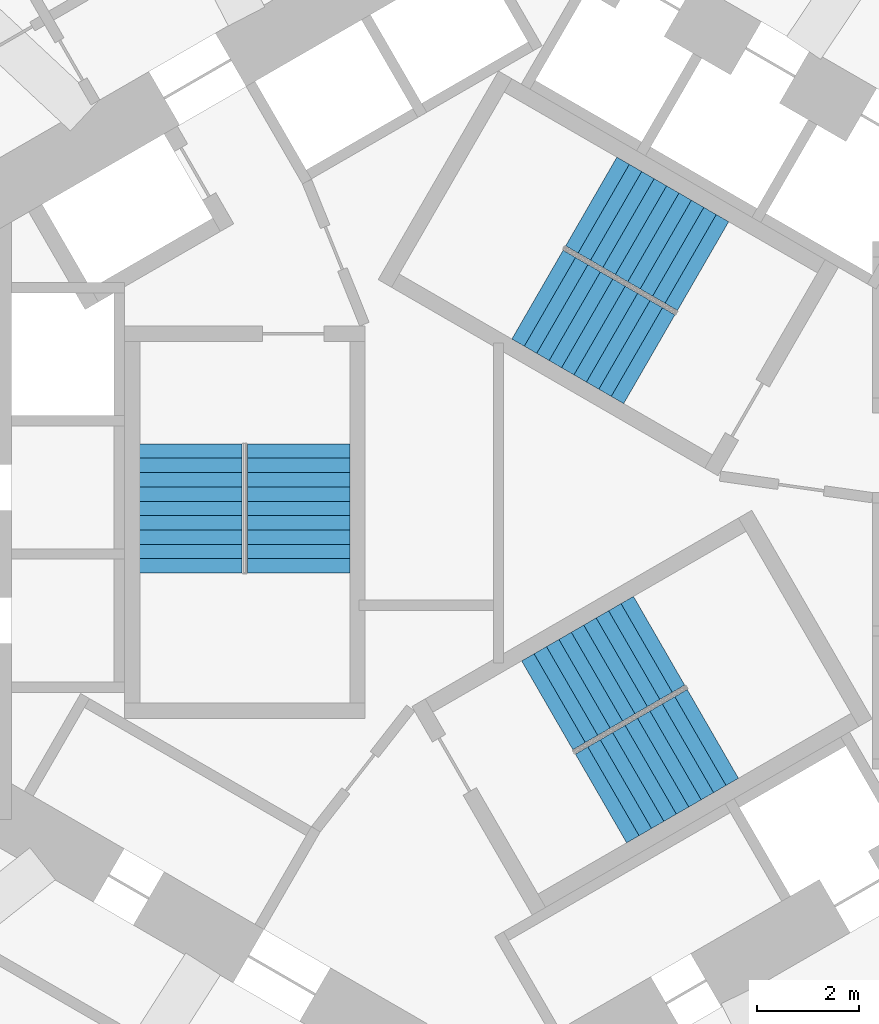
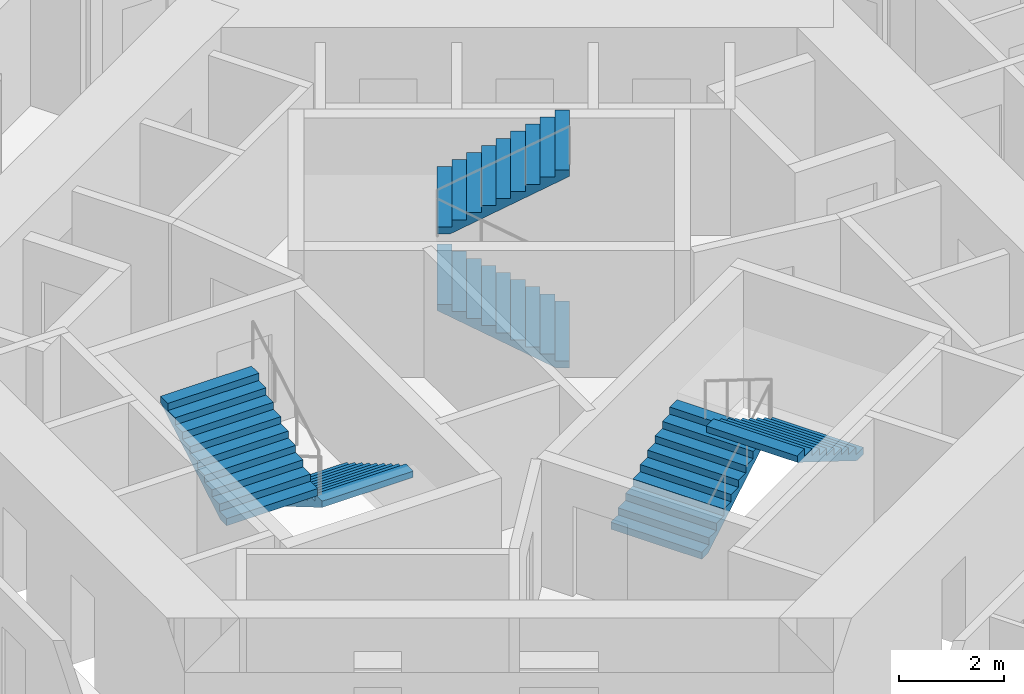
# One storey, part 10 of 12: 6 stair flights, 3 elements without a shape of their own.
"""IFC4 building model written with IfcOpenShell, lengths in metres."""

from ifc_helpers import new_model, si_unit, direction, frame, origin, place, context, subcontext, project, spatial, triangles, source, transform, mapped, material, type_object, element, aggregate, save


model = new_model("IFC4")

# Units and contexts
model_context = context("Model", 3, precision=1e-05, world=origin(), true_north=direction((0.0, 1.0)))
body_context = subcontext(model_context, "Body", "Model", "MODEL_VIEW")
ifc_project = project(units=[si_unit("LENGTHUNIT", "METRE"), si_unit("AREAUNIT", "SQUARE_METRE"), si_unit("VOLUMEUNIT", "CUBIC_METRE"), si_unit("PLANEANGLEUNIT", "RADIAN"), si_unit("MASSUNIT", "GRAM", prefix="KILO")], contexts=[model_context])

# Site, building, storey
site_placement = place(None, origin())
site = spatial("IfcSite", under=ifc_project, at=site_placement, CompositionType="ELEMENT")
building_placement = place(site_placement, origin())
building = spatial("IfcBuilding", under=site, at=building_placement, Name="Vanh Sen Convention Tower", CompositionType="ELEMENT")
storey_placement = place(building_placement, frame((0.0, 0.0, 116.60009765625)))
storey = spatial("IfcBuildingStorey", under=building, at=storey_placement, Name="L28", CompositionType="ELEMENT", Elevation=116.60009765625)

# Stair, stair flights
ifc_material_1 = material(Name="Concrete C50/60", Category="concrete")
stair_type_1 = type_object("IfcStairType", Name="Exit stair ST1 20 risers at 165.0", PredefinedType="HALF_TURN_STAIR", material=ifc_material_1)
stair_1_placement = place(storey_placement, origin())
stair_1 = element("IfcStair", 1, at=stair_1_placement, inside=storey, type_object=stair_type_1, Name="Exit stair ST1 L28", PredefinedType="HALF_TURN_STAIR")
ifc_material_2 = material(Name="Concrete C40/50", Category="concrete")
stair_flight_type = type_object("IfcStairFlightType", Name="Stair flight 2000", PredefinedType="STRAIGHT", material=ifc_material_2)
shared_shape = source(origin(), body_context, "Body", "Tessellation", [
    triangles([(0.24609375, 1.0, 0.0), (0.0, 1.0, 0.0), (0.0, 1.0, 0.1650390625), (0.280029296875, 1.0, 0.1650390625), (0.280029296875, 1.0, 0.330078125), (0.56005859375, 1.0, 0.330078125), (0.56005859375, 1.0, 0.4951171875), (0.840087890625, 1.0, 0.4951171875), (0.840087890625, 1.0, 0.659912109375), (1.1201171875, 1.0, 0.659912109375), (1.1201171875, 1.0, 0.824951171875), (1.39990234375, 1.0, 0.824951171875), (1.39990234375, 1.0, 0.989990234375), (1.679931640625, 1.0, 0.989990234375), (1.679931640625, 1.0, 1.155029296875), (1.9599609375, 1.0, 1.155029296875), (1.9599609375, 1.0, 1.320068359375), (2.239990234375, 1.0, 1.320068359375), (2.239990234375, 1.0, 1.485107421875), (2.52001953125, 1.0, 1.485107421875), (2.52001953125, 1.0, 1.33984375), (0.24609375, -1.0, 0.0), (0.0, -1.0, 0.0), (0.0, -1.0, 0.1650390625), (0.280029296875, -1.0, 0.1650390625), (0.280029296875, -1.0, 0.330078125), (0.56005859375, -1.0, 0.330078125), (0.56005859375, -1.0, 0.4951171875), (0.840087890625, -1.0, 0.4951171875), (0.840087890625, -1.0, 0.659912109375), (1.1201171875, -1.0, 0.659912109375), (1.1201171875, -1.0, 0.824951171875), (1.39990234375, -1.0, 0.824951171875), (1.39990234375, -1.0, 0.989990234375), (1.679931640625, -1.0, 0.989990234375), (1.679931640625, -1.0, 1.155029296875), (1.9599609375, -1.0, 1.155029296875), (1.9599609375, -1.0, 1.320068359375), (2.239990234375, -1.0, 1.320068359375), (2.239990234375, -1.0, 1.485107421875), (2.52001953125, -1.0, 1.485107421875), (2.52001953125, -1.0, 1.33984375), (0.0, 0.0400390625, 0.0), (0.0, 0.0390625, 0.0), (0.0, 0.0380859375, 0.0), (0.0, 0.037109375, 0.0), (0.0, 0.035888671875, 0.0), (0.0, 0.034912109375, 0.0), (0.0, 0.033935546875, 0.0), (0.0, 0.032958984375, 0.0), (0.0, 0.031982421875, 0.0), (0.0, 0.031005859375, 0.0), (0.0, 0.030029296875, 0.0), (0.0, 0.029052734375, 0.0), (0.0, 0.028076171875, 0.0), (0.0, 0.027099609375, 0.0), (0.0, 0.02587890625, 0.0), (0.0, 0.02490234375, 0.0), (0.0, 0.02392578125, 0.0), (0.0, 0.02294921875, 0.0), (0.0, 0.02197265625, 0.0), (0.0, 0.02099609375, 0.0), (0.0, 0.02001953125, 0.0), (0.0, 0.01904296875, 0.0), (0.0, 0.01806640625, 0.0), (0.0, 0.01708984375, 0.0), (0.0, 0.01611328125, 0.0), (0.0, 0.014892578125, 0.0), (0.0, 0.013916015625, 0.0), (0.0, 0.012939453125, 0.0), (0.0, 0.011962890625, 0.0), (0.0, 0.010986328125, 0.0), (0.0, 0.010009765625, 0.0), (0.0, 0.009033203125, 0.0), (0.0, 0.008056640625, 0.0), (0.0, 0.007080078125, 0.0), (0.0, 0.006103515625, 0.0), (0.0, 0.0048828125, 0.0), (0.0, 0.00390625, 0.0), (0.0, 0.0029296875, 0.0), (0.0, 0.001953125, 0.0), (0.0, 0.0009765625, 0.0), (0.0, 0.0, 0.0), (0.0, -0.0009765625, 0.0), (0.0, -0.001953125, 0.0), (0.0, -0.0029296875, 0.0), (0.0, -0.00390625, 0.0), (0.0, -0.0048828125, 0.0), (0.0, -0.006103515625, 0.0), (0.0, -0.007080078125, 0.0), (0.0, -0.008056640625, 0.0), (0.0, -0.009033203125, 0.0), (0.0, -0.010009765625, 0.0), (0.0, -0.010986328125, 0.0), (0.0, -0.011962890625, 0.0), (0.0, -0.012939453125, 0.0), (0.0, -0.013916015625, 0.0), (0.0, -0.014892578125, 0.0), (0.0, -0.01611328125, 0.0), (0.0, -0.01708984375, 0.0), (0.0, -0.01806640625, 0.0), (0.0, -0.01904296875, 0.0), (0.0, -0.02001953125, 0.0), (0.0, -0.02099609375, 0.0), (0.0, -0.02197265625, 0.0), (0.0, -0.02294921875, 0.0), (0.0, -0.02392578125, 0.0), (0.0, -0.02490234375, 0.0), (0.0, -0.02587890625, 0.0), (0.0, -0.027099609375, 0.0), (0.0, -0.028076171875, 0.0), (0.0, -0.029052734375, 0.0), (0.0, -0.030029296875, 0.0), (0.0, -0.031005859375, 0.0), (0.0, -0.031982421875, 0.0), (0.0, -0.032958984375, 0.0), (0.0, -0.033935546875, 0.0), (0.0, -0.034912109375, 0.0), (0.0, -0.035888671875, 0.0), (0.0, -0.037109375, 0.0), (0.0, -0.0380859375, 0.0), (0.0, -0.0390625, 0.0), (0.0, -0.0400390625, 0.0), (0.0, 0.0400390625, 0.1650390625), (0.0, 0.0390625, 0.1650390625), (0.0, 0.0380859375, 0.1650390625), (0.0, 0.037109375, 0.1650390625), (0.0, 0.035888671875, 0.1650390625), (0.0, 0.034912109375, 0.1650390625), (0.0, 0.033935546875, 0.1650390625), (0.0, 0.032958984375, 0.1650390625), (0.0, 0.031982421875, 0.1650390625), (0.0, 0.031005859375, 0.1650390625), (0.0, 0.030029296875, 0.1650390625), (0.0, 0.029052734375, 0.1650390625), (0.0, 0.028076171875, 0.1650390625), (0.0, 0.027099609375, 0.1650390625), (0.0, 0.02587890625, 0.1650390625), (0.0, 0.02490234375, 0.1650390625), (0.0, 0.02392578125, 0.1650390625), (0.0, 0.02294921875, 0.1650390625), (0.0, 0.02197265625, 0.1650390625), (0.0, 0.02099609375, 0.1650390625), (0.0, 0.02001953125, 0.1650390625), (0.0, 0.01904296875, 0.1650390625), (0.0, 0.01806640625, 0.1650390625), (0.0, 0.01708984375, 0.1650390625), (0.0, 0.01611328125, 0.1650390625), (0.0, 0.014892578125, 0.1650390625), (0.0, 0.013916015625, 0.1650390625), (0.0, 0.012939453125, 0.1650390625), (0.0, 0.011962890625, 0.1650390625), (0.0, 0.010986328125, 0.1650390625), (0.0, 0.010009765625, 0.1650390625), (0.0, 0.009033203125, 0.1650390625), (0.0, 0.008056640625, 0.1650390625), (0.0, 0.007080078125, 0.1650390625), (0.0, 0.006103515625, 0.1650390625), (0.0, 0.0048828125, 0.1650390625), (0.0, 0.00390625, 0.1650390625), (0.0, 0.0029296875, 0.1650390625), (0.0, 0.001953125, 0.1650390625), (0.0, 0.0009765625, 0.1650390625), (0.0, 0.0, 0.1650390625), (0.0, -0.0009765625, 0.1650390625), (0.0, -0.001953125, 0.1650390625), (0.0, -0.0029296875, 0.1650390625), (0.0, -0.00390625, 0.1650390625), (0.0, -0.0048828125, 0.1650390625), (0.0, -0.006103515625, 0.1650390625), (0.0, -0.007080078125, 0.1650390625), (0.0, -0.008056640625, 0.1650390625), (0.0, -0.009033203125, 0.1650390625), (0.0, -0.010009765625, 0.1650390625), (0.0, -0.010986328125, 0.1650390625), (0.0, -0.011962890625, 0.1650390625), (0.0, -0.012939453125, 0.1650390625), (0.0, -0.013916015625, 0.1650390625), (0.0, -0.014892578125, 0.1650390625), (0.0, -0.01611328125, 0.1650390625), (0.0, -0.01708984375, 0.1650390625), (0.0, -0.01806640625, 0.1650390625), (0.0, -0.01904296875, 0.1650390625), (0.0, -0.02001953125, 0.1650390625), (0.0, -0.02099609375, 0.1650390625), (0.0, -0.02197265625, 0.1650390625), (0.0, -0.02294921875, 0.1650390625), (0.0, -0.02392578125, 0.1650390625), (0.0, -0.02490234375, 0.1650390625), (0.0, -0.02587890625, 0.1650390625), (0.0, -0.027099609375, 0.1650390625), (0.0, -0.028076171875, 0.1650390625), (0.0, -0.029052734375, 0.1650390625), (0.0, -0.030029296875, 0.1650390625), (0.0, -0.031005859375, 0.1650390625), (0.0, -0.031982421875, 0.1650390625), (0.0, -0.032958984375, 0.1650390625), (0.0, -0.033935546875, 0.1650390625), (0.0, -0.034912109375, 0.1650390625), (0.0, -0.035888671875, 0.1650390625), (0.0, -0.037109375, 0.1650390625), (0.0, -0.0380859375, 0.1650390625), (0.0, -0.0390625, 0.1650390625), (0.0, -0.0400390625, 0.1650390625), (0.280029296875, 0.0, 0.1650390625), (0.280029296875, 0.0, 0.330078125), (0.56005859375, 0.0, 0.330078125), (0.56005859375, 0.0, 0.4951171875), (0.840087890625, 0.0, 0.4951171875), (0.840087890625, 0.0, 0.659912109375), (1.1201171875, 0.0, 0.659912109375), (1.1201171875, 0.0, 0.824951171875), (1.39990234375, 0.0, 0.824951171875), (1.39990234375, 0.0, 0.989990234375), (1.679931640625, 0.0, 0.989990234375), (1.679931640625, 0.0, 1.155029296875), (1.9599609375, 0.0, 1.155029296875), (1.9599609375, 0.0, 1.320068359375), (2.239990234375, 0.0, 1.320068359375), (2.239990234375, 0.0, 1.485107421875), (2.52001953125, 0.0400390625, 1.485107421875), (2.52001953125, 0.0390625, 1.485107421875), (2.52001953125, 0.0380859375, 1.485107421875), (2.52001953125, 0.037109375, 1.485107421875), (2.52001953125, 0.035888671875, 1.485107421875), (2.52001953125, 0.034912109375, 1.485107421875), (2.52001953125, 0.033935546875, 1.485107421875), (2.52001953125, 0.032958984375, 1.485107421875), (2.52001953125, 0.031982421875, 1.485107421875), (2.52001953125, 0.031005859375, 1.485107421875), (2.52001953125, 0.030029296875, 1.485107421875), (2.52001953125, 0.029052734375, 1.485107421875), (2.52001953125, 0.028076171875, 1.485107421875), (2.52001953125, 0.027099609375, 1.485107421875), (2.52001953125, 0.02587890625, 1.485107421875), (2.52001953125, 0.02490234375, 1.485107421875), (2.52001953125, 0.02392578125, 1.485107421875), (2.52001953125, 0.02294921875, 1.485107421875), (2.52001953125, 0.02197265625, 1.485107421875), (2.52001953125, 0.02099609375, 1.485107421875), (2.52001953125, 0.02001953125, 1.485107421875), (2.52001953125, 0.01904296875, 1.485107421875), (2.52001953125, 0.01806640625, 1.485107421875), (2.52001953125, 0.01708984375, 1.485107421875), (2.52001953125, 0.01611328125, 1.485107421875), (2.52001953125, 0.014892578125, 1.485107421875), (2.52001953125, 0.013916015625, 1.485107421875), (2.52001953125, 0.012939453125, 1.485107421875), (2.52001953125, 0.011962890625, 1.485107421875), (2.52001953125, 0.010986328125, 1.485107421875), (2.52001953125, 0.010009765625, 1.485107421875), (2.52001953125, 0.009033203125, 1.485107421875), (2.52001953125, 0.008056640625, 1.485107421875), (2.52001953125, 0.007080078125, 1.485107421875), (2.52001953125, 0.006103515625, 1.485107421875), (2.52001953125, 0.0048828125, 1.485107421875), (2.52001953125, 0.00390625, 1.485107421875), (2.52001953125, 0.0029296875, 1.485107421875), (2.52001953125, 0.001953125, 1.485107421875), (2.52001953125, 0.0009765625, 1.485107421875), (2.52001953125, 0.0, 1.485107421875), (2.52001953125, -0.0009765625, 1.485107421875), (2.52001953125, -0.001953125, 1.485107421875), (2.52001953125, -0.0029296875, 1.485107421875), (2.52001953125, -0.00390625, 1.485107421875), (2.52001953125, -0.0048828125, 1.485107421875), (2.52001953125, -0.006103515625, 1.485107421875), (2.52001953125, -0.007080078125, 1.485107421875), (2.52001953125, -0.008056640625, 1.485107421875), (2.52001953125, -0.009033203125, 1.485107421875), (2.52001953125, -0.010009765625, 1.485107421875), (2.52001953125, -0.010986328125, 1.485107421875), (2.52001953125, -0.011962890625, 1.485107421875), (2.52001953125, -0.012939453125, 1.485107421875), (2.52001953125, -0.013916015625, 1.485107421875), (2.52001953125, -0.014892578125, 1.485107421875), (2.52001953125, -0.01611328125, 1.485107421875), (2.52001953125, -0.01708984375, 1.485107421875), (2.52001953125, -0.01806640625, 1.485107421875), (2.52001953125, -0.01904296875, 1.485107421875), (2.52001953125, -0.02001953125, 1.485107421875), (2.52001953125, -0.02099609375, 1.485107421875), (2.52001953125, -0.02197265625, 1.485107421875), (2.52001953125, -0.02294921875, 1.485107421875), (2.52001953125, -0.02392578125, 1.485107421875), (2.52001953125, -0.02490234375, 1.485107421875), (2.52001953125, -0.02587890625, 1.485107421875), (2.52001953125, -0.027099609375, 1.485107421875), (2.52001953125, -0.028076171875, 1.485107421875), (2.52001953125, -0.029052734375, 1.485107421875), (2.52001953125, -0.030029296875, 1.485107421875), (2.52001953125, -0.031005859375, 1.485107421875), (2.52001953125, -0.031982421875, 1.485107421875), (2.52001953125, -0.032958984375, 1.485107421875), (2.52001953125, -0.033935546875, 1.485107421875), (2.52001953125, -0.034912109375, 1.485107421875), (2.52001953125, -0.035888671875, 1.485107421875), (2.52001953125, -0.037109375, 1.485107421875), (2.52001953125, -0.0380859375, 1.485107421875), (2.52001953125, -0.0390625, 1.485107421875), (2.52001953125, -0.0400390625, 1.485107421875), (2.52001953125, 0.0400390625, 1.33984375), (2.52001953125, 0.0390625, 1.33984375), (2.52001953125, 0.0380859375, 1.33984375), (2.52001953125, 0.037109375, 1.33984375), (2.52001953125, 0.035888671875, 1.33984375), (2.52001953125, 0.034912109375, 1.33984375), (2.52001953125, 0.033935546875, 1.33984375), (2.52001953125, 0.032958984375, 1.33984375), (2.52001953125, 0.031982421875, 1.33984375), (2.52001953125, 0.031005859375, 1.33984375), (2.52001953125, 0.030029296875, 1.33984375), (2.52001953125, 0.029052734375, 1.33984375), (2.52001953125, 0.028076171875, 1.33984375), (2.52001953125, 0.027099609375, 1.33984375), (2.52001953125, 0.02587890625, 1.33984375), (2.52001953125, 0.02490234375, 1.33984375), (2.52001953125, 0.02392578125, 1.33984375), (2.52001953125, 0.02294921875, 1.33984375), (2.52001953125, 0.02197265625, 1.33984375), (2.52001953125, 0.02099609375, 1.33984375), (2.52001953125, 0.02001953125, 1.33984375), (2.52001953125, 0.01904296875, 1.33984375), (2.52001953125, 0.01806640625, 1.33984375), (2.52001953125, 0.01708984375, 1.33984375), (2.52001953125, 0.01611328125, 1.33984375), (2.52001953125, 0.014892578125, 1.33984375), (2.52001953125, 0.013916015625, 1.33984375), (2.52001953125, 0.012939453125, 1.33984375), (2.52001953125, 0.011962890625, 1.33984375), (2.52001953125, 0.010986328125, 1.33984375), (2.52001953125, 0.010009765625, 1.33984375), (2.52001953125, 0.009033203125, 1.33984375), (2.52001953125, 0.008056640625, 1.33984375), (2.52001953125, 0.007080078125, 1.33984375), (2.52001953125, 0.006103515625, 1.33984375), (2.52001953125, 0.0048828125, 1.33984375), (2.52001953125, 0.00390625, 1.33984375), (2.52001953125, 0.0029296875, 1.33984375), (2.52001953125, 0.001953125, 1.33984375), (2.52001953125, 0.0009765625, 1.33984375), (2.52001953125, 0.0, 1.33984375), (2.52001953125, -0.0009765625, 1.33984375), (2.52001953125, -0.001953125, 1.33984375), (2.52001953125, -0.0029296875, 1.33984375), (2.52001953125, -0.00390625, 1.33984375), (2.52001953125, -0.0048828125, 1.33984375), (2.52001953125, -0.006103515625, 1.33984375), (2.52001953125, -0.007080078125, 1.33984375), (2.52001953125, -0.008056640625, 1.33984375), (2.52001953125, -0.009033203125, 1.33984375), (2.52001953125, -0.010009765625, 1.33984375), (2.52001953125, -0.010986328125, 1.33984375), (2.52001953125, -0.011962890625, 1.33984375), (2.52001953125, -0.012939453125, 1.33984375), (2.52001953125, -0.013916015625, 1.33984375), (2.52001953125, -0.014892578125, 1.33984375), (2.52001953125, -0.01611328125, 1.33984375), (2.52001953125, -0.01708984375, 1.33984375), (2.52001953125, -0.01806640625, 1.33984375), (2.52001953125, -0.01904296875, 1.33984375), (2.52001953125, -0.02001953125, 1.33984375), (2.52001953125, -0.02099609375, 1.33984375), (2.52001953125, -0.02197265625, 1.33984375), (2.52001953125, -0.02294921875, 1.33984375), (2.52001953125, -0.02392578125, 1.33984375), (2.52001953125, -0.02490234375, 1.33984375), (2.52001953125, -0.02587890625, 1.33984375), (2.52001953125, -0.027099609375, 1.33984375), (2.52001953125, -0.028076171875, 1.33984375), (2.52001953125, -0.029052734375, 1.33984375), (2.52001953125, -0.030029296875, 1.33984375), (2.52001953125, -0.031005859375, 1.33984375), (2.52001953125, -0.031982421875, 1.33984375), (2.52001953125, -0.032958984375, 1.33984375), (2.52001953125, -0.033935546875, 1.33984375), (2.52001953125, -0.034912109375, 1.33984375), (2.52001953125, -0.035888671875, 1.33984375), (2.52001953125, -0.037109375, 1.33984375), (2.52001953125, -0.0380859375, 1.33984375), (2.52001953125, -0.0390625, 1.33984375), (2.52001953125, -0.0400390625, 1.33984375), (0.24609375, 0.0, 0.0)], [[1, 2, 3], [1, 3, 4], [4, 5, 6], [1, 4, 6], [6, 7, 8], [1, 6, 8], [8, 9, 10], [1, 8, 10], [10, 11, 12], [1, 10, 12], [12, 13, 14], [1, 12, 14], [14, 15, 16], [1, 14, 16], [16, 17, 18], [1, 16, 18], [18, 19, 20], [1, 18, 20], [20, 21, 1], [22, 24, 23], [22, 25, 24], [25, 27, 26], [22, 27, 25], [27, 29, 28], [22, 29, 27], [29, 31, 30], [22, 31, 29], [31, 33, 32], [22, 33, 31], [33, 35, 34], [22, 35, 33], [35, 37, 36], [22, 37, 35], [37, 39, 38], [22, 39, 37], [39, 41, 40], [22, 41, 39], [41, 22, 42], [2, 124, 3], [2, 43, 124], [43, 125, 124], [43, 44, 125], [44, 126, 125], [44, 45, 126], [45, 127, 126], [45, 46, 127], [46, 128, 127], [46, 47, 128], [47, 129, 128], [47, 48, 129], [48, 130, 129], [48, 49, 130], [49, 131, 130], [49, 50, 131], [50, 132, 131], [50, 51, 132], [51, 133, 132], [51, 52, 133], [52, 134, 133], [52, 53, 134], [53, 135, 134], [53, 54, 135], [54, 136, 135], [54, 55, 136], [55, 137, 136], [55, 56, 137], [56, 138, 137], [56, 57, 138], [57, 139, 138], [57, 58, 139], [58, 140, 139], [58, 59, 140], [59, 141, 140], [59, 60, 141], [60, 142, 141], [60, 61, 142], [61, 143, 142], [61, 62, 143], [62, 144, 143], [62, 63, 144], [63, 145, 144], [63, 64, 145], [64, 146, 145], [64, 65, 146], [65, 147, 146], [65, 66, 147], [66, 148, 147], [66, 67, 148], [67, 149, 148], [67, 68, 149], [68, 150, 149], [68, 69, 150], [69, 151, 150], [69, 70, 151], [70, 152, 151], [70, 71, 152], [71, 153, 152], [71, 72, 153], [72, 154, 153], [72, 73, 154], [73, 155, 154], [73, 74, 155], [74, 156, 155], [74, 75, 156], [75, 157, 156], [75, 76, 157], [76, 158, 157], [76, 77, 158], [77, 159, 158], [77, 78, 159], [78, 160, 159], [78, 79, 160], [79, 161, 160], [79, 80, 161], [80, 162, 161], [80, 81, 162], [81, 163, 162], [81, 82, 163], [82, 164, 163], [82, 83, 164], [83, 84, 164], [164, 84, 165], [84, 85, 165], [165, 85, 166], [85, 86, 166], [166, 86, 167], [86, 87, 167], [167, 87, 168], [87, 88, 168], [168, 88, 169], [88, 89, 169], [169, 89, 170], [89, 90, 170], [170, 90, 171], [90, 91, 171], [171, 91, 172], [91, 92, 172], [172, 92, 173], [92, 93, 173], [173, 93, 174], [93, 94, 174], [174, 94, 175], [94, 95, 175], [175, 95, 176], [95, 96, 176], [176, 96, 177], [96, 97, 177], [177, 97, 178], [97, 98, 178], [178, 98, 179], [98, 99, 179], [179, 99, 180], [99, 100, 180], [180, 100, 181], [100, 101, 181], [181, 101, 182], [101, 102, 182], [182, 102, 183], [102, 103, 183], [183, 103, 184], [103, 104, 184], [184, 104, 185], [104, 105, 185], [185, 105, 186], [105, 106, 186], [186, 106, 187], [106, 107, 187], [187, 107, 188], [107, 108, 188], [188, 108, 189], [108, 109, 189], [189, 109, 190], [109, 110, 190], [190, 110, 191], [110, 111, 191], [191, 111, 192], [111, 112, 192], [192, 112, 193], [112, 113, 193], [193, 113, 194], [113, 114, 194], [194, 114, 195], [114, 115, 195], [195, 115, 196], [115, 116, 196], [196, 116, 197], [116, 117, 197], [197, 117, 198], [117, 118, 198], [198, 118, 199], [118, 119, 199], [199, 119, 200], [119, 120, 200], [200, 120, 201], [120, 121, 201], [201, 121, 202], [121, 122, 202], [202, 122, 203], [122, 123, 203], [203, 123, 204], [123, 23, 204], [204, 23, 24], [4, 3, 124], [4, 124, 125], [4, 125, 126], [4, 126, 127], [4, 127, 128], [4, 128, 129], [4, 129, 130], [4, 130, 131], [4, 131, 132], [4, 132, 133], [4, 133, 134], [4, 134, 135], [4, 135, 136], [4, 136, 137], [4, 137, 138], [4, 138, 139], [4, 139, 140], [4, 140, 141], [4, 141, 142], [4, 142, 143], [4, 143, 144], [4, 144, 145], [4, 145, 146], [4, 146, 147], [4, 147, 148], [4, 148, 149], [4, 149, 150], [4, 150, 151], [4, 151, 152], [4, 152, 153], [4, 153, 154], [4, 154, 155], [4, 155, 156], [4, 156, 157], [4, 157, 158], [4, 158, 159], [4, 159, 160], [4, 160, 161], [4, 161, 162], [4, 162, 163], [4, 163, 164], [25, 164, 165], [25, 165, 166], [25, 166, 167], [25, 167, 168], [25, 168, 169], [25, 169, 170], [25, 170, 171], [25, 171, 172], [25, 172, 173], [25, 173, 174], [25, 174, 175], [25, 175, 176], [25, 176, 177], [25, 177, 178], [25, 178, 179], [25, 179, 180], [25, 180, 181], [25, 181, 182], [25, 182, 183], [25, 183, 184], [25, 184, 185], [25, 185, 186], [25, 186, 187], [25, 187, 188], [25, 188, 189], [25, 189, 190], [25, 190, 191], [25, 191, 192], [25, 192, 193], [25, 193, 194], [25, 194, 195], [25, 195, 196], [25, 196, 197], [25, 197, 198], [25, 198, 199], [25, 199, 200], [25, 200, 201], [25, 201, 202], [25, 202, 203], [25, 203, 204], [25, 204, 24], [4, 164, 205], [25, 205, 164], [4, 206, 5], [4, 205, 206], [205, 25, 206], [206, 25, 26], [5, 207, 6], [5, 206, 207], [206, 26, 207], [207, 26, 27], [6, 208, 7], [6, 207, 208], [207, 27, 208], [208, 27, 28], [7, 209, 8], [7, 208, 209], [208, 28, 209], [209, 28, 29], [8, 210, 9], [8, 209, 210], [209, 29, 210], [210, 29, 30], [9, 211, 10], [9, 210, 211], [210, 30, 211], [211, 30, 31], [10, 212, 11], [10, 211, 212], [211, 31, 212], [212, 31, 32], [11, 213, 12], [11, 212, 213], [212, 32, 213], [213, 32, 33], [12, 214, 13], [12, 213, 214], [213, 33, 214], [214, 33, 34], [13, 215, 14], [13, 214, 215], [214, 34, 215], [215, 34, 35], [14, 216, 15], [14, 215, 216], [215, 35, 216], [216, 35, 36], [15, 217, 16], [15, 216, 217], [216, 36, 217], [217, 36, 37], [16, 218, 17], [16, 217, 218], [217, 37, 218], [218, 37, 38], [17, 219, 18], [17, 218, 219], [218, 38, 219], [219, 38, 39], [18, 220, 19], [18, 219, 220], [219, 39, 220], [220, 39, 40], [19, 221, 20], [19, 222, 221], [19, 223, 222], [19, 224, 223], [19, 225, 224], [19, 226, 225], [19, 227, 226], [19, 228, 227], [19, 229, 228], [19, 230, 229], [19, 231, 230], [19, 232, 231], [19, 233, 232], [19, 234, 233], [19, 235, 234], [19, 236, 235], [19, 237, 236], [19, 238, 237], [19, 239, 238], [19, 240, 239], [19, 241, 240], [19, 242, 241], [19, 243, 242], [19, 244, 243], [19, 245, 244], [19, 246, 245], [19, 247, 246], [19, 248, 247], [19, 249, 248], [19, 250, 249], [19, 251, 250], [19, 252, 251], [19, 253, 252], [19, 254, 253], [19, 255, 254], [19, 256, 255], [19, 257, 256], [19, 258, 257], [19, 259, 258], [19, 260, 259], [19, 261, 260], [40, 262, 261], [40, 263, 262], [40, 264, 263], [40, 265, 264], [40, 266, 265], [40, 267, 266], [40, 268, 267], [40, 269, 268], [40, 270, 269], [40, 271, 270], [40, 272, 271], [40, 273, 272], [40, 274, 273], [40, 275, 274], [40, 276, 275], [40, 277, 276], [40, 278, 277], [40, 279, 278], [40, 280, 279], [40, 281, 280], [40, 282, 281], [40, 283, 282], [40, 284, 283], [40, 285, 284], [40, 286, 285], [40, 287, 286], [40, 288, 287], [40, 289, 288], [40, 290, 289], [40, 291, 290], [40, 292, 291], [40, 293, 292], [40, 294, 293], [40, 295, 294], [40, 296, 295], [40, 297, 296], [40, 298, 297], [40, 299, 298], [40, 300, 299], [40, 301, 300], [40, 41, 301], [19, 220, 261], [40, 261, 220], [20, 302, 21], [20, 221, 302], [221, 303, 302], [221, 222, 303], [222, 304, 303], [222, 223, 304], [223, 305, 304], [223, 224, 305], [224, 306, 305], [224, 225, 306], [225, 307, 306], [225, 226, 307], [226, 308, 307], [226, 227, 308], [227, 309, 308], [227, 228, 309], [228, 310, 309], [228, 229, 310], [229, 311, 310], [229, 230, 311], [230, 312, 311], [230, 231, 312], [231, 313, 312], [231, 232, 313], [232, 314, 313], [232, 233, 314], [233, 315, 314], [233, 234, 315], [234, 316, 315], [234, 235, 316], [235, 317, 316], [235, 236, 317], [236, 318, 317], [236, 237, 318], [237, 319, 318], [237, 238, 319], [238, 320, 319], [238, 239, 320], [239, 321, 320], [239, 240, 321], [240, 322, 321], [240, 241, 322], [241, 323, 322], [241, 242, 323], [242, 324, 323], [242, 243, 324], [243, 325, 324], [243, 244, 325], [244, 326, 325], [244, 245, 326], [245, 327, 326], [245, 246, 327], [246, 328, 327], [246, 247, 328], [247, 329, 328], [247, 248, 329], [248, 330, 329], [248, 249, 330], [249, 331, 330], [249, 250, 331], [250, 332, 331], [250, 251, 332], [251, 333, 332], [251, 252, 333], [252, 334, 333], [252, 253, 334], [253, 335, 334], [253, 254, 335], [254, 336, 335], [254, 255, 336], [255, 337, 336], [255, 256, 337], [256, 338, 337], [256, 257, 338], [257, 339, 338], [257, 258, 339], [258, 340, 339], [258, 259, 340], [259, 341, 340], [259, 260, 341], [260, 342, 341], [260, 261, 342], [261, 262, 342], [342, 262, 343], [262, 263, 343], [343, 263, 344], [263, 264, 344], [344, 264, 345], [264, 265, 345], [345, 265, 346], [265, 266, 346], [346, 266, 347], [266, 267, 347], [347, 267, 348], [267, 268, 348], [348, 268, 349], [268, 269, 349], [349, 269, 350], [269, 270, 350], [350, 270, 351], [270, 271, 351], [351, 271, 352], [271, 272, 352], [352, 272, 353], [272, 273, 353], [353, 273, 354], [273, 274, 354], [354, 274, 355], [274, 275, 355], [355, 275, 356], [275, 276, 356], [356, 276, 357], [276, 277, 357], [357, 277, 358], [277, 278, 358], [358, 278, 359], [278, 279, 359], [359, 279, 360], [279, 280, 360], [360, 280, 361], [280, 281, 361], [361, 281, 362], [281, 282, 362], [362, 282, 363], [282, 283, 363], [363, 283, 364], [283, 284, 364], [364, 284, 365], [284, 285, 365], [365, 285, 366], [285, 286, 366], [366, 286, 367], [286, 287, 367], [367, 287, 368], [287, 288, 368], [368, 288, 369], [288, 289, 369], [369, 289, 370], [289, 290, 370], [370, 290, 371], [290, 291, 371], [371, 291, 372], [291, 292, 372], [372, 292, 373], [292, 293, 373], [373, 293, 374], [293, 294, 374], [374, 294, 375], [294, 295, 375], [375, 295, 376], [295, 296, 376], [376, 296, 377], [296, 297, 377], [377, 297, 378], [297, 298, 378], [378, 298, 379], [298, 299, 379], [379, 299, 380], [299, 300, 380], [380, 300, 381], [300, 301, 381], [381, 301, 382], [301, 41, 382], [382, 41, 42], [1, 21, 302], [1, 302, 303], [1, 303, 304], [1, 304, 305], [1, 305, 306], [1, 306, 307], [1, 307, 308], [1, 308, 309], [1, 309, 310], [1, 310, 311], [1, 311, 312], [1, 312, 313], [1, 313, 314], [1, 314, 315], [1, 315, 316], [1, 316, 317], [1, 317, 318], [1, 318, 319], [1, 319, 320], [1, 320, 321], [1, 321, 322], [1, 322, 323], [1, 323, 324], [1, 324, 325], [1, 325, 326], [1, 326, 327], [1, 327, 328], [1, 328, 329], [1, 329, 330], [1, 330, 331], [1, 331, 332], [1, 332, 333], [1, 333, 334], [1, 334, 335], [1, 335, 336], [1, 336, 337], [1, 337, 338], [1, 338, 339], [1, 339, 340], [1, 340, 341], [1, 341, 342], [22, 342, 343], [22, 343, 344], [22, 344, 345], [22, 345, 346], [22, 346, 347], [22, 347, 348], [22, 348, 349], [22, 349, 350], [22, 350, 351], [22, 351, 352], [22, 352, 353], [22, 353, 354], [22, 354, 355], [22, 355, 356], [22, 356, 357], [22, 357, 358], [22, 358, 359], [22, 359, 360], [22, 360, 361], [22, 361, 362], [22, 362, 363], [22, 363, 364], [22, 364, 365], [22, 365, 366], [22, 366, 367], [22, 367, 368], [22, 368, 369], [22, 369, 370], [22, 370, 371], [22, 371, 372], [22, 372, 373], [22, 373, 374], [22, 374, 375], [22, 375, 376], [22, 376, 377], [22, 377, 378], [22, 378, 379], [22, 379, 380], [22, 380, 381], [22, 381, 382], [22, 382, 42], [1, 342, 383], [22, 383, 342], [1, 43, 2], [1, 44, 43], [1, 45, 44], [1, 46, 45], [1, 47, 46], [1, 48, 47], [1, 49, 48], [1, 50, 49], [1, 51, 50], [1, 52, 51], [1, 53, 52], [1, 54, 53], [1, 55, 54], [1, 56, 55], [1, 57, 56], [1, 58, 57], [1, 59, 58], [1, 60, 59], [1, 61, 60], [1, 62, 61], [1, 63, 62], [1, 64, 63], [1, 65, 64], [1, 66, 65], [1, 67, 66], [1, 68, 67], [1, 69, 68], [1, 70, 69], [1, 71, 70], [1, 72, 71], [1, 73, 72], [1, 74, 73], [1, 75, 74], [1, 76, 75], [1, 77, 76], [1, 78, 77], [1, 79, 78], [1, 80, 79], [1, 81, 80], [1, 82, 81], [1, 83, 82], [22, 84, 83], [22, 85, 84], [22, 86, 85], [22, 87, 86], [22, 88, 87], [22, 89, 88], [22, 90, 89], [22, 91, 90], [22, 92, 91], [22, 93, 92], [22, 94, 93], [22, 95, 94], [22, 96, 95], [22, 97, 96], [22, 98, 97], [22, 99, 98], [22, 100, 99], [22, 101, 100], [22, 102, 101], [22, 103, 102], [22, 104, 103], [22, 105, 104], [22, 106, 105], [22, 107, 106], [22, 108, 107], [22, 109, 108], [22, 110, 109], [22, 111, 110], [22, 112, 111], [22, 113, 112], [22, 114, 113], [22, 115, 114], [22, 116, 115], [22, 117, 116], [22, 118, 117], [22, 119, 118], [22, 120, 119], [22, 121, 120], [22, 122, 121], [22, 123, 122], [22, 23, 123], [1, 383, 83], [22, 83, 383]], closed=True),
])
stair_flight_1_placement = place(storey_placement, frame((2.94580078125, 2.802490234375, 0.0), z_axis=(0.0, 0.0, 1.0), x_axis=(-0.866025403784, 0.5, 0.0)))
stair_flight_1 = element("IfcStairFlight", 2, at=stair_flight_1_placement, type_object=stair_flight_type, Name="ST1 flight 1", NumberOfRisers=10, NumberOfTreads=9, PredefinedType="STRAIGHT", RiserHeight=0.165, TreadLength=0.28, context=body_context, shape_type="MappedRepresentation", body=[
    mapped(shared_shape, transform((0.0, 0.0, 0.0))),
])
stair_flight_2_placement = place(storey_placement, frame((1.8134765625, 5.881103515625, 1.64990234375), z_axis=(0.0, 0.0, 1.0), x_axis=(0.866025403784, -0.5, 0.0)))
stair_flight_2 = element("IfcStairFlight", 3, at=stair_flight_2_placement, type_object=stair_flight_type, Name="ST1 flight 2", NumberOfRisers=10, NumberOfTreads=9, PredefinedType="STRAIGHT", RiserHeight=0.165, TreadLength=0.28, context=body_context, shape_type="MappedRepresentation", body=[
    mapped(shared_shape, transform((0.0, 0.0, 0.0))),
])
aggregate(stair_1, [stair_flight_1, stair_flight_2])

stair_type_2 = type_object("IfcStairType", Name="Exit stair ST2 20 risers at 165.0", PredefinedType="HALF_TURN_STAIR", material=ifc_material_1)
stair_2_placement = place(storey_placement, origin())
stair_2 = element("IfcStair", 4, at=stair_2_placement, inside=storey, type_object=stair_type_2, Name="Exit stair ST2 L28", PredefinedType="HALF_TURN_STAIR")
stair_flight_3_placement = place(storey_placement, frame((-3.89990234375, 1.14990234375, 0.0), z_axis=(0.0, 0.0, 1.0), x_axis=(0.0, -1.0, 0.0)))
stair_flight_3 = element("IfcStairFlight", 5, at=stair_flight_3_placement, type_object=stair_flight_type, Name="ST2 flight 1", NumberOfRisers=10, NumberOfTreads=9, PredefinedType="STRAIGHT", RiserHeight=0.165, TreadLength=0.28, context=body_context, shape_type="MappedRepresentation", body=[
    mapped(shared_shape, transform((0.0, 0.0, 0.0))),
])
stair_flight_4_placement = place(storey_placement, frame((-6.0, -1.3701171875, 1.64990234375), z_axis=(0.0, 0.0, 1.0), x_axis=(0.0, 1.0, 0.0)))
stair_flight_4 = element("IfcStairFlight", 6, at=stair_flight_4_placement, type_object=stair_flight_type, Name="ST2 flight 2", NumberOfRisers=10, NumberOfTreads=9, PredefinedType="STRAIGHT", RiserHeight=0.165, TreadLength=0.28, context=body_context, shape_type="MappedRepresentation", body=[
    mapped(shared_shape, transform((0.0, 0.0, 0.0))),
])
aggregate(stair_2, [stair_flight_3, stair_flight_4])

stair_type_3 = type_object("IfcStairType", Name="Exit stair ST3 20 risers at 165.0", PredefinedType="HALF_TURN_STAIR", material=ifc_material_1)
stair_3_placement = place(storey_placement, origin())
stair_3 = element("IfcStair", 7, at=stair_3_placement, inside=storey, type_object=stair_type_3, Name="Exit stair ST3 L28", PredefinedType="HALF_TURN_STAIR")
stair_flight_5_placement = place(storey_placement, frame((0.9541015625, -3.952392578125, 0.0), z_axis=(0.0, 0.0, 1.0), x_axis=(0.866025403784, 0.5, 0.0)))
stair_flight_5 = element("IfcStairFlight", 8, at=stair_flight_5_placement, type_object=stair_flight_type, Name="ST3 flight 1", NumberOfRisers=10, NumberOfTreads=9, PredefinedType="STRAIGHT", RiserHeight=0.165, TreadLength=0.28, context=body_context, shape_type="MappedRepresentation", body=[
    mapped(shared_shape, transform((0.0, 0.0, 0.0))),
])
stair_flight_6_placement = place(storey_placement, frame((4.1865234375, -4.51123046875, 1.64990234375), z_axis=(0.0, 0.0, 1.0), x_axis=(-0.866025403784, -0.5, 0.0)))
stair_flight_6 = element("IfcStairFlight", 9, at=stair_flight_6_placement, type_object=stair_flight_type, Name="ST3 flight 2", NumberOfRisers=10, NumberOfTreads=9, PredefinedType="STRAIGHT", RiserHeight=0.165, TreadLength=0.28, context=body_context, shape_type="MappedRepresentation", body=[
    mapped(shared_shape, transform((0.0, 0.0, 0.0))),
])
aggregate(stair_3, [stair_flight_5, stair_flight_6])

save(model, "model.ifc")
